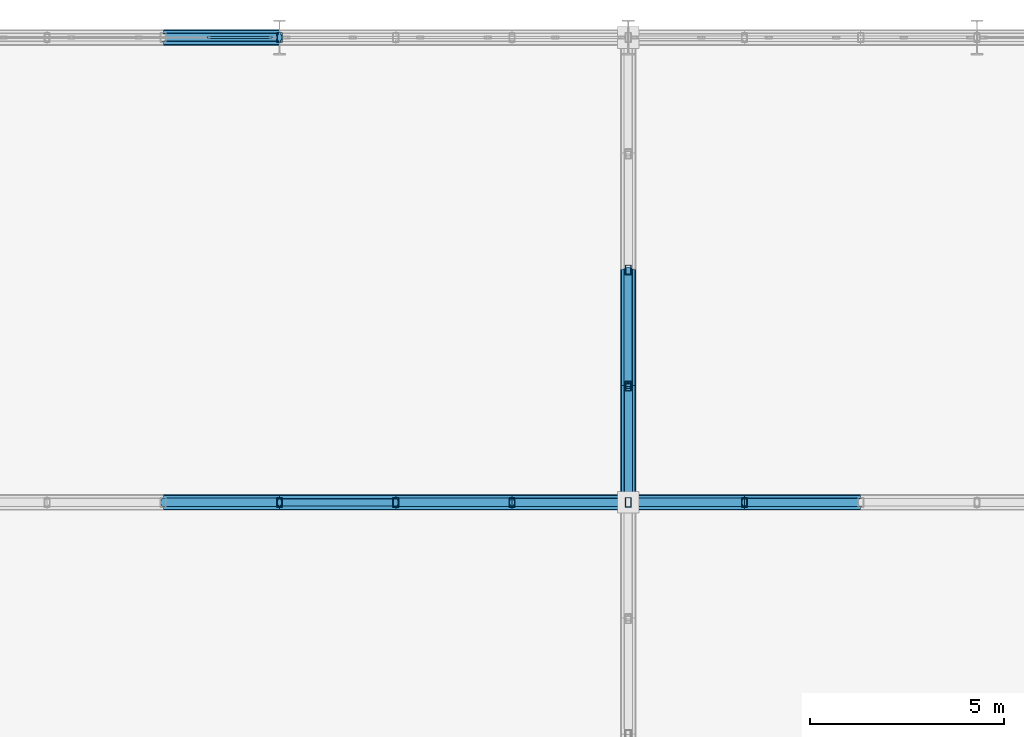
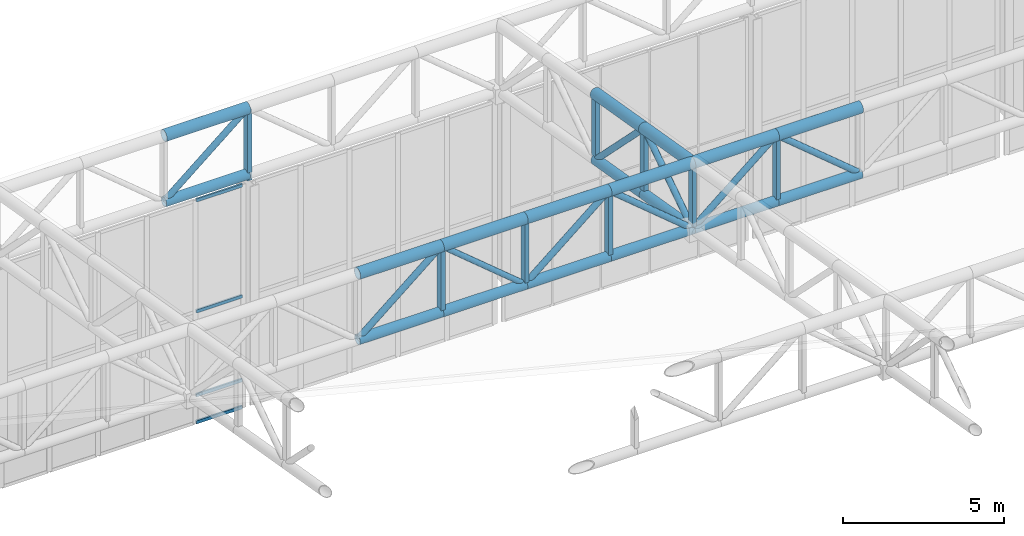
# One storey, part 125 of 239: 39 members, 1 element without a shape of its own.
"""IFC4 building model written with IfcOpenShell, lengths in metres."""

from ifc_helpers import new_model, si_unit, direction, frame, origin, origin_2d, place, context, subcontext, project, spatial, hollow_rectangle, hollow_circle, extrude, material, material_profile, profile_set, type_object, element, aggregate, save


model = new_model("IFC4")

# Units and contexts
model_context = context("Model", 3, precision=1e-05, world=origin(), true_north=direction((0.0, 1.0)))
body_context = subcontext(model_context, "Body", "Model", "MODEL_VIEW")
ifc_project = project(units=[si_unit("LENGTHUNIT", "METRE"), si_unit("AREAUNIT", "SQUARE_METRE"), si_unit("VOLUMEUNIT", "CUBIC_METRE"), si_unit("PLANEANGLEUNIT", "RADIAN"), si_unit("MASSUNIT", "GRAM", prefix="KILO")], contexts=[model_context])

# Site, building, storey
site_placement = place(None, origin())
site = spatial("IfcSite", under=ifc_project, at=site_placement, CompositionType="ELEMENT")
building_placement = place(site_placement, origin())
building = spatial("IfcBuilding", under=site, at=building_placement, Name="Kaldris Quays Convention Centre", CompositionType="ELEMENT")
storey_placement = place(building_placement, frame((0.0, 0.0, 11.39990234375)))
storey = spatial("IfcBuildingStorey", under=building, at=storey_placement, Name="L02", CompositionType="ELEMENT", Elevation=11.39990234375)

# Curtain wall, members
ifc_material_1 = material(Name="Anodized aluminium AW-6060 and triple glazing", Category="aluminium")
curtain_wall_type = type_object("IfcCurtainWallType", Name="UNITISED CURTAIN WALL CW03", PredefinedType="NOTDEFINED", material=ifc_material_1)
curtain_wall_placement = place(storey_placement, origin())
curtain_wall = element("IfcCurtainWall", 1, at=curtain_wall_placement, inside=storey, type_object=curtain_wall_type, Name="L02 Unitised Curtain Wall CW03 244", PredefinedType="NOTDEFINED")
ifc_material_2 = material(Name="Anodized aluminium AW-6060", Category="aluminium")
ifc_material_profile_1 = material_profile(ifc_material_2, hollow_rectangle(XDim=0.06005859375, YDim=0.1201171875, WallThickness=0.00390625, at=origin_2d()), Name="RHS 120x60x4")
ifc_profile_set_1 = profile_set([ifc_material_profile_1], Name="Anodized aluminium AW-6060")
member_type_1 = type_object("IfcMemberType", Name="CURTAIN TRANSOM CWT1", PredefinedType="USERDEFINED", material=ifc_profile_set_1)
member_1_placement = place(storey_placement, frame((99.14599609375, 140.0, -1.574951171875), z_axis=(1.0, 0.0, 0.0), x_axis=(0.0, 1.0, 0.0)))
member_1 = element("IfcMember", 2, at=member_1_placement, type_object=member_type_1, Name="CW03 transom 5.1", ObjectType="TRANSOM", PredefinedType="USERDEFINED", context=body_context, shape_type="SweptSolid", body=[
    extrude(hollow_rectangle(XDim=0.06005859375, YDim=0.1201171875, WallThickness=0.00390625, at=origin_2d()), origin(), (0.0, 0.0, 1.0), 1.654052734375),
])
member_2_placement = place(storey_placement, frame((99.14599609375, 140.0, -0.554931640625), z_axis=(1.0, 0.0, 0.0), x_axis=(0.0, 1.0, 0.0)))
member_2 = element("IfcMember", 3, at=member_2_placement, type_object=member_type_1, Name="CW03 transom 5.2", ObjectType="TRANSOM", PredefinedType="USERDEFINED", context=body_context, shape_type="SweptSolid", body=[
    extrude(hollow_rectangle(XDim=0.06005859375, YDim=0.1201171875, WallThickness=0.00390625, at=origin_2d()), origin(), (0.0, 0.0, 1.0), 1.654052734375),
])
member_3_placement = place(storey_placement, frame((99.14599609375, 140.0, 2.623046875), z_axis=(1.0, 0.0, 0.0), x_axis=(0.0, 1.0, 0.0)))
member_3 = element("IfcMember", 4, at=member_3_placement, type_object=member_type_1, Name="CW03 transom 5.3", ObjectType="TRANSOM", PredefinedType="USERDEFINED", context=body_context, shape_type="SweptSolid", body=[
    extrude(hollow_rectangle(XDim=0.06005859375, YDim=0.1201171875, WallThickness=0.00390625, at=origin_2d()), origin(), (0.0, 0.0, 1.0), 1.654052734375),
])
member_4_placement = place(storey_placement, frame((99.14599609375, 140.0, 6.820068359375), z_axis=(1.0, 0.0, 0.0), x_axis=(0.0, 1.0, 0.0)))
member_4 = element("IfcMember", 5, at=member_4_placement, type_object=member_type_1, Name="CW03 transom 5.4", ObjectType="TRANSOM", PredefinedType="USERDEFINED", context=body_context, shape_type="SweptSolid", body=[
    extrude(hollow_rectangle(XDim=0.06005859375, YDim=0.1201171875, WallThickness=0.00390625, at=origin_2d()), origin(), (0.0, 0.0, 1.0), 1.654052734375),
])
aggregate(curtain_wall, [member_1, member_2, member_3, member_4])

# Members
ifc_material_3 = material(Name="Steel S355J2H", Category="steel")
ifc_material_profile_2 = material_profile(ifc_material_3, hollow_circle(Radius=0.203125, WallThickness=0.01611328125, at=origin_2d()), Name="CHS 406.4x16")
ifc_profile_set_2 = profile_set([ifc_material_profile_2], Name="Steel S355J2H")
member_type_2 = type_object("IfcMemberType", Name="STRUCTURAL MEMBER SC01", PredefinedType="CHORD", material=ifc_profile_set_2)
for number, where, z_axis, x_axis, name in (
    (6, (98.0, 128.0, 11.72900390625), (1.0, 0.0, 0.0), (0.0, 1.0, 0.0), "SF-V1 Top Chord X 279"),
    (7, (101.0, 128.0, 11.72900390625), (1.0, 0.0, 0.0), (0.0, 1.0, 0.0), "SF-V1 Top Chord X 280"),
    (8, (104.0, 128.0, 11.72900390625), (1.0, 0.0, 0.0), (0.0, 1.0, 0.0), "SF-V1 Top Chord X 281"),
    (9, (107.0, 128.0, 11.72900390625), (1.0, 0.0, 0.0), (0.0, 1.0, 0.0), "SF-V1 Top Chord X 282"),
    (10, (110.0, 128.0, 11.72900390625), (1.0, 0.0, 0.0), (0.0, 1.0, 0.0), "SF-V1 Top Chord X 283"),
    (11, (113.0, 128.0, 11.72900390625), (1.0, 0.0, 0.0), (0.0, 1.0, 0.0), "SF-V1 Top Chord X 284"),
    (12, (98.0, 140.0, 9.671875), (1.0, 0.0, 0.0), (0.0, 1.0, 0.0), "SF-V1 Top Chord X 321"),
):
    element("IfcMember", number, at=place(storey_placement, frame(where, z_axis=z_axis, x_axis=x_axis)), inside=storey, type_object=member_type_2, Name=name, PredefinedType="CHORD", context=body_context, shape_type="SweptSolid", body=[
        extrude(hollow_circle(Radius=0.203125, WallThickness=0.01611328125, at=origin_2d()), origin(), (0.0, 0.0, 1.0), 3.0),
    ])
for number, where, z_axis, x_axis, name in (
    (13, (110.0, 128.0, 11.72900390625), (0.0, 0.98562912375, -0.168923741424), (-1.0, 0.0, 0.0), "SF-V1 Top Chord Y 501"),
    (14, (110.0, 131.0, 11.21484375), (0.0, 0.985615766076, -0.169001661712), (-1.0, 0.0, 0.0), "SF-V1 Top Chord Y 502"),
):
    element("IfcMember", number, at=place(storey_placement, frame(where, z_axis=z_axis, x_axis=x_axis)), inside=storey, type_object=member_type_2, Name=name, PredefinedType="CHORD", context=body_context, shape_type="SweptSolid", body=[
        extrude(hollow_circle(Radius=0.203125, WallThickness=0.01611328125, at=origin_2d()), origin(), (0.0, 0.0, 1.0), 3.043701171875),
    ])
ifc_material_profile_3 = material_profile(ifc_material_3, hollow_circle(Radius=0.177734375, WallThickness=0.01611328125, at=origin_2d()), Name="CHS 355.6x16")
ifc_profile_set_3 = profile_set([ifc_material_profile_3], Name="Steel S355J2H")
member_type_3 = type_object("IfcMemberType", Name="STRUCTURAL MEMBER SC02", PredefinedType="CHORD", material=ifc_profile_set_3)
for number, where, z_axis, x_axis, name in (
    (15, (98.0, 128.0, 9.22900390625), (1.0, 0.0, 0.0), (0.0, 1.0, 0.0), "SF-V1 Bottom Chord X 279"),
    (16, (101.0, 128.0, 9.22900390625), (1.0, 0.0, 0.0), (0.0, 1.0, 0.0), "SF-V1 Bottom Chord X 280"),
    (17, (104.0, 128.0, 9.22900390625), (1.0, 0.0, 0.0), (0.0, 1.0, 0.0), "SF-V1 Bottom Chord X 281"),
    (18, (107.0, 128.0, 9.22900390625), (1.0, 0.0, 0.0), (0.0, 1.0, 0.0), "SF-V1 Bottom Chord X 282"),
    (19, (110.0, 128.0, 9.22900390625), (1.0, 0.0, 0.0), (0.0, 1.0, 0.0), "SF-V1 Bottom Chord X 283"),
    (20, (113.0, 128.0, 9.22900390625), (1.0, 0.0, 0.0), (0.0, 1.0, 0.0), "SF-V1 Bottom Chord X 284"),
    (21, (98.0, 140.0, 7.171875), (1.0, 0.0, 0.0), (0.0, 1.0, 0.0), "SF-V1 Bottom Chord X 321"),
):
    element("IfcMember", number, at=place(storey_placement, frame(where, z_axis=z_axis, x_axis=x_axis)), inside=storey, type_object=member_type_3, Name=name, PredefinedType="CHORD", context=body_context, shape_type="SweptSolid", body=[
        extrude(hollow_circle(Radius=0.177734375, WallThickness=0.01611328125, at=origin_2d()), origin(), (0.0, 0.0, 1.0), 3.0),
    ])
for number, where, z_axis, x_axis, name in (
    (22, (110.0, 128.0, 9.22900390625), (0.0, 0.98562912375, -0.168923741424), (-1.0, 0.0, 0.0), "SF-V1 Bottom Chord Y 501"),
    (23, (110.0, 131.0, 8.71484375), (0.0, 0.985615766076, -0.169001661712), (-1.0, 0.0, 0.0), "SF-V1 Bottom Chord Y 502"),
):
    element("IfcMember", number, at=place(storey_placement, frame(where, z_axis=z_axis, x_axis=x_axis)), inside=storey, type_object=member_type_3, Name=name, PredefinedType="CHORD", context=body_context, shape_type="SweptSolid", body=[
        extrude(hollow_circle(Radius=0.177734375, WallThickness=0.01611328125, at=origin_2d()), origin(), (0.0, 0.0, 1.0), 3.043701171875),
    ])
ifc_material_profile_4 = material_profile(ifc_material_3, hollow_circle(Radius=0.109619140625, WallThickness=0.010009765625, at=origin_2d()), Name="CHS 219.1x10")
ifc_profile_set_4 = profile_set([ifc_material_profile_4], Name="Steel S355J2H")
member_type_4 = type_object("IfcMemberType", Name="STRUCTURAL MEMBER SWB1", PredefinedType="BRACE", material=ifc_profile_set_4)
for number, where, z_axis, x_axis, name in (
    (24, (98.0, 128.0, 9.22900390625), (0.768221279597, 0.0, 0.640184399664), (0.0, 1.0, 0.0), "SF-V1 Web Diagonal X 279"),
    (25, (104.0, 128.0, 9.22900390625), (0.768221279597, 0.0, 0.640184399664), (0.0, 1.0, 0.0), "SF-V1 Web Diagonal X 281"),
    (26, (110.0, 128.0, 9.22900390625), (-0.768221279597, 0.0, 0.640184399664), (0.0, -1.0, 0.0), "SF-V1 Web Diagonal X 282"),
    (27, (110.0, 128.0, 9.22900390625), (0.768221279597, 0.0, 0.640184399664), (0.0, 1.0, 0.0), "SF-V1 Web Diagonal X 283"),
    (28, (116.0, 128.0, 9.22900390625), (-0.768221279597, 0.0, 0.640184399664), (0.0, -1.0, 0.0), "SF-V1 Web Diagonal X 284"),
    (29, (98.0, 140.0, 7.171875), (0.768221279597, 0.0, 0.640184399664), (0.0, 1.0, 0.0), "SF-V1 Web Diagonal X 321"),
):
    element("IfcMember", number, at=place(storey_placement, frame(where, z_axis=z_axis, x_axis=x_axis)), inside=storey, type_object=member_type_4, Name=name, PredefinedType="BRACE", context=body_context, shape_type="SweptSolid", body=[
        extrude(hollow_circle(Radius=0.109619140625, WallThickness=0.010009765625, at=origin_2d()), origin(), (0.0, 0.0, 1.0), 3.905029296875),
    ])
member_5_placement = place(storey_placement, frame((110.0, 128.0, 9.22900390625), z_axis=(0.0, 0.833862389808, 0.551972385962), x_axis=(-1.0, 0.0, 0.0)))
element("IfcMember", 30, at=member_5_placement, inside=storey, type_object=member_type_4, Name="SF-V1 Web Diagonal Y 501", PredefinedType="BRACE", context=body_context, shape_type="SweptSolid", body=[
    extrude(hollow_circle(Radius=0.109619140625, WallThickness=0.010009765625, at=origin_2d()), origin(), (0.0, 0.0, 1.0), 3.59765625),
])
member_6_placement = place(storey_placement, frame((110.0, 134.0, 8.200439453125), z_axis=(0.0, -0.705411261057, 0.708798245465), x_axis=(1.0, 0.0, 0.0)))
element("IfcMember", 31, at=member_6_placement, inside=storey, type_object=member_type_4, Name="SF-V1 Web Diagonal Y 502", PredefinedType="BRACE", context=body_context, shape_type="SweptSolid", body=[
    extrude(hollow_circle(Radius=0.109619140625, WallThickness=0.010009765625, at=origin_2d()), origin(), (0.0, 0.0, 1.0), 4.2529296875),
])
ifc_material_profile_5 = material_profile(ifc_material_3, hollow_circle(Radius=0.096923828125, WallThickness=0.008056640625, at=origin_2d()), Name="CHS 193.7x8")
ifc_profile_set_5 = profile_set([ifc_material_profile_5], Name="Steel S355J2H")
member_type_5 = type_object("IfcMemberType", Name="STRUCTURAL MEMBER SWB3", PredefinedType="BRACE", material=ifc_profile_set_5)
member_7_placement = place(storey_placement, frame((104.0, 128.0, 9.22900390625), z_axis=(-0.768221279597, 0.0, 0.640184399664), x_axis=(0.0, -1.0, 0.0)))
element("IfcMember", 32, at=member_7_placement, inside=storey, type_object=member_type_5, Name="SF-V1 Web Diagonal X 280", PredefinedType="BRACE", context=body_context, shape_type="SweptSolid", body=[
    extrude(hollow_circle(Radius=0.096923828125, WallThickness=0.008056640625, at=origin_2d()), origin(), (0.0, 0.0, 1.0), 3.905029296875),
])
ifc_material_profile_6 = material_profile(ifc_material_3, hollow_rectangle(XDim=0.14990234375, YDim=0.25, WallThickness=0.010009765625, at=origin_2d()), Name="RHS 250x150x10")
ifc_profile_set_6 = profile_set([ifc_material_profile_6], Name="Steel S355J2H")
member_type_6 = type_object("IfcMemberType", Name="STRUCTURAL MEMBER TTV1", PredefinedType="POST", material=ifc_profile_set_6)
member_8_placement = place(storey_placement, frame((101.0, 128.0, 9.22900390625), z_axis=(0.0, 0.0, 1.0), x_axis=(1.0, 0.0, 0.0)))
element("IfcMember", 33, at=member_8_placement, inside=storey, type_object=member_type_6, Name="SF-V1 Space-Frame Post 328", PredefinedType="POST", context=body_context, shape_type="SweptSolid", body=[
    extrude(hollow_rectangle(XDim=0.14990234375, YDim=0.25, WallThickness=0.010009765625, at=origin_2d()), origin(), (0.0, 0.0, 1.0), 2.5),
])
member_9_placement = place(storey_placement, frame((101.0, 140.0, 6.994140625), z_axis=(0.0, 0.0, 1.0), x_axis=(1.0, 0.0, 0.0)))
element("IfcMember", 34, at=member_9_placement, inside=storey, type_object=member_type_6, Name="SF-V1 Space-Frame Post 329", PredefinedType="POST", context=body_context, shape_type="SweptSolid", body=[
    extrude(hollow_rectangle(XDim=0.14990234375, YDim=0.25, WallThickness=0.010009765625, at=origin_2d()), origin(), (0.0, 0.0, 1.0), 2.677734375),
])
for number, where, z_axis, x_axis, name in (
    (35, (104.0, 128.0, 9.22900390625), (0.0, 0.0, 1.0), (1.0, 0.0, 0.0), "SF-V1 Space-Frame Post 336"),
    (36, (107.0, 128.0, 9.22900390625), (0.0, 0.0, 1.0), (1.0, 0.0, 0.0), "SF-V1 Space-Frame Post 344"),
    (37, (110.0, 128.0, 9.22900390625), (0.0, 0.0, 1.0), (1.0, 0.0, 0.0), "SF-V1 Space-Frame Post 370"),
    (38, (110.0, 131.0, 8.71484375), (0.0, 0.0, 1.0), (1.0, 0.0, 0.0), "SF-V1 Space-Frame Post 371"),
    (39, (110.0, 134.0, 8.200439453125), (0.0, 0.0, 1.0), (1.0, 0.0, 0.0), "SF-V1 Space-Frame Post 372"),
    (40, (113.0, 128.0, 9.22900390625), (0.0, 0.0, 1.0), (1.0, 0.0, 0.0), "SF-V1 Space-Frame Post 381"),
):
    element("IfcMember", number, at=place(storey_placement, frame(where, z_axis=z_axis, x_axis=x_axis)), inside=storey, type_object=member_type_6, Name=name, PredefinedType="POST", context=body_context, shape_type="SweptSolid", body=[
        extrude(hollow_rectangle(XDim=0.14990234375, YDim=0.25, WallThickness=0.010009765625, at=origin_2d()), origin(), (0.0, 0.0, 1.0), 2.5),
    ])

save(model, "model.ifc")
